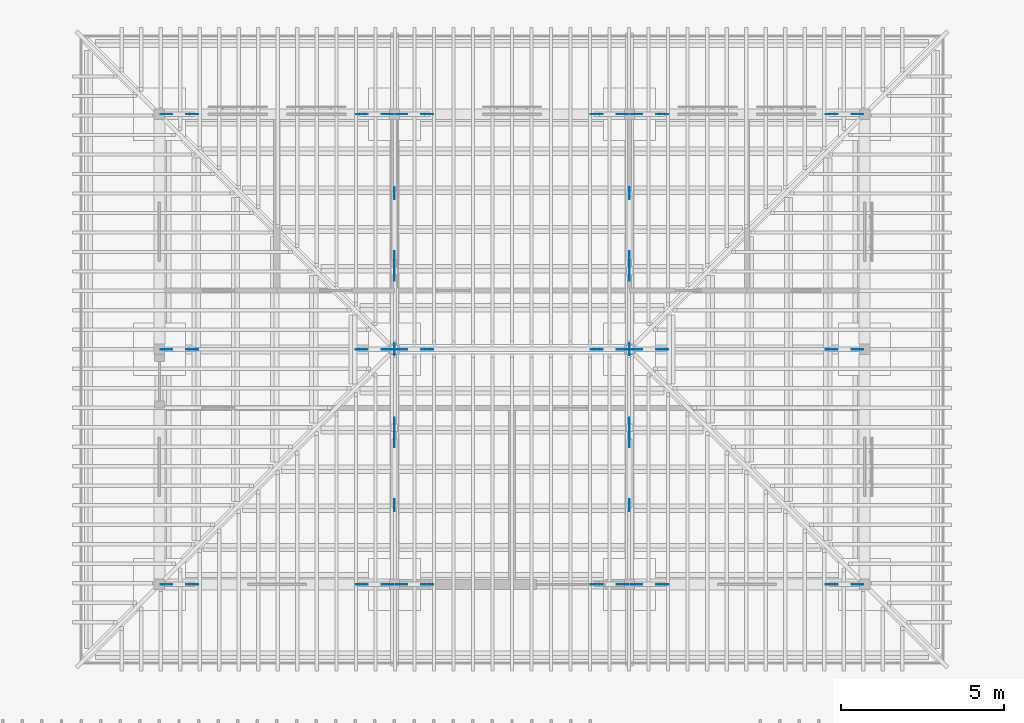
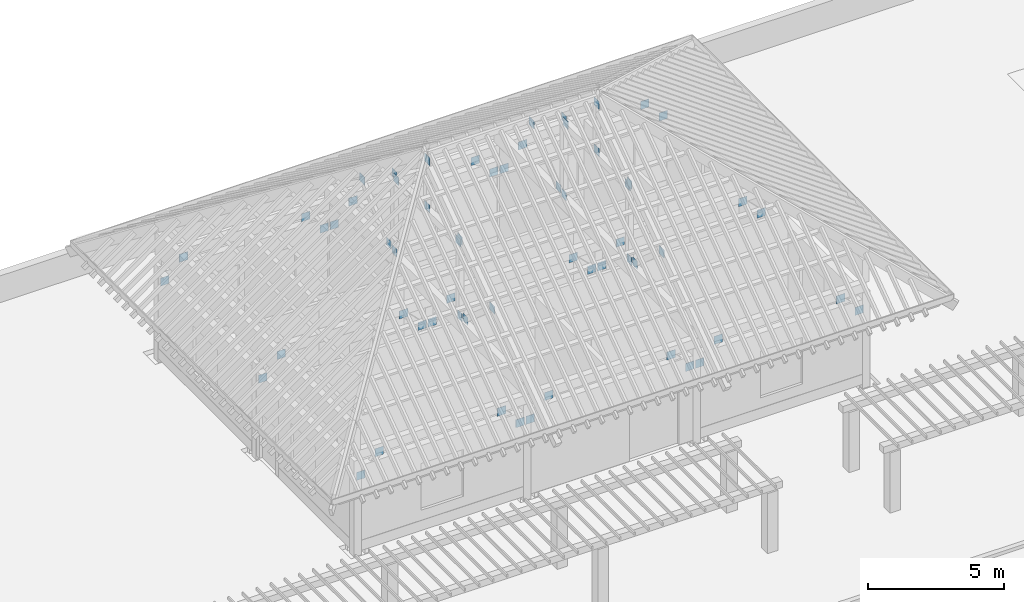
# One storey, part 49 of 84: 60 discrete accessories.
"""IFC4 building model written with IfcOpenShell, lengths in metres."""

from ifc_helpers import new_model, si_unit, direction, frame, origin, origin_2d, place, context, subcontext, project, spatial, rectangle, extrude, material, type_object, element, save


model = new_model("IFC4")

# Units and contexts
model_context = context("Model", 3, precision=1e-05, world=origin(), true_north=direction((0.0, 1.0)))
body_context = subcontext(model_context, "Body", "Model", "MODEL_VIEW")
ifc_project = project(units=[si_unit("LENGTHUNIT", "METRE"), si_unit("AREAUNIT", "SQUARE_METRE"), si_unit("VOLUMEUNIT", "CUBIC_METRE"), si_unit("PLANEANGLEUNIT", "RADIAN"), si_unit("MASSUNIT", "GRAM", prefix="KILO")], contexts=[model_context])

# Site, building, storey
site_placement = place(None, origin())
site = spatial("IfcSite", under=ifc_project, at=site_placement, CompositionType="ELEMENT")
building_placement = place(site_placement, origin())
building = spatial("IfcBuilding", under=site, at=building_placement, Name="Mazhai Court Health Centre", CompositionType="ELEMENT")
storey_placement = place(building_placement, origin())
storey = spatial("IfcBuildingStorey", under=building, at=storey_placement, Name="L00", CompositionType="ELEMENT", Elevation=0.0)

# Discrete accessories
ifc_material = material(Name="Steel IS 2062 E250", Category="steel")
discrete_accessory_type = type_object("IfcDiscreteAccessoryType", Name="TRUSS NODE PLATE 12", PredefinedType="BRACKET", material=ifc_material)
for number, where, z_axis, x_axis, name in (
    (1, (92.81494140625, 49.39990234375, 3.07470703125), (0.0, 0.0, 1.0), (1.0, 0.0, 0.0), "Node plate brace-V3-L00-00p end a"),
    (2, (93.60498046875, 49.39990234375, 3.865234375), (0.0, 0.0, 1.0), (1.0, 0.0, 0.0), "Node plate brace-V3-L00-00p end b"),
    (3, (99.585205078125, 49.39990234375, 3.07470703125), (0.0, 0.0, 1.0), (1.0, 0.0, 0.0), "Node plate brace-V3-L00-10w end a"),
    (4, (98.794921875, 49.39990234375, 3.865234375), (0.0, 0.0, 1.0), (1.0, 0.0, 0.0), "Node plate brace-V3-L00-10w end b"),
    (5, (100.014892578125, 49.39990234375, 3.07470703125), (0.0, 0.0, 1.0), (1.0, 0.0, 0.0), "Node plate brace-V3-L00-10p end a"),
    (6, (100.80517578125, 49.39990234375, 3.865234375), (0.0, 0.0, 1.0), (1.0, 0.0, 0.0), "Node plate brace-V3-L00-10p end b"),
    (7, (106.78515625, 49.39990234375, 3.07470703125), (0.0, 0.0, 1.0), (1.0, 0.0, 0.0), "Node plate brace-V3-L00-20w end a"),
    (8, (105.994873046875, 49.39990234375, 3.865234375), (0.0, 0.0, 1.0), (1.0, 0.0, 0.0), "Node plate brace-V3-L00-20w end b"),
    (9, (107.21484375, 49.39990234375, 3.07470703125), (0.0, 0.0, 1.0), (1.0, 0.0, 0.0), "Node plate brace-V3-L00-20p end a"),
    (10, (108.005126953125, 49.39990234375, 3.865234375), (0.0, 0.0, 1.0), (1.0, 0.0, 0.0), "Node plate brace-V3-L00-20p end b"),
    (11, (113.985107421875, 49.39990234375, 3.07470703125), (0.0, 0.0, 1.0), (1.0, 0.0, 0.0), "Node plate brace-V3-L00-30w end a"),
    (12, (113.19482421875, 49.39990234375, 3.865234375), (0.0, 0.0, 1.0), (1.0, 0.0, 0.0), "Node plate brace-V3-L00-30w end b"),
    (13, (92.81494140625, 56.60009765625, 3.07470703125), (0.0, 0.0, 1.0), (1.0, 0.0, 0.0), "Node plate brace-V3-L00-01p end a"),
    (14, (93.60498046875, 56.60009765625, 3.865234375), (0.0, 0.0, 1.0), (1.0, 0.0, 0.0), "Node plate brace-V3-L00-01p end b"),
    (15, (99.585205078125, 56.60009765625, 3.07470703125), (0.0, 0.0, 1.0), (1.0, 0.0, 0.0), "Node plate brace-V3-L00-11w end a"),
    (16, (98.794921875, 56.60009765625, 3.865234375), (0.0, 0.0, 1.0), (1.0, 0.0, 0.0), "Node plate brace-V3-L00-11w end b"),
    (17, (100.014892578125, 56.60009765625, 3.07470703125), (0.0, 0.0, 1.0), (1.0, 0.0, 0.0), "Node plate brace-V3-L00-11p end a"),
    (18, (100.80517578125, 56.60009765625, 3.865234375), (0.0, 0.0, 1.0), (1.0, 0.0, 0.0), "Node plate brace-V3-L00-11p end b"),
    (19, (106.78515625, 56.60009765625, 3.07470703125), (0.0, 0.0, 1.0), (1.0, 0.0, 0.0), "Node plate brace-V3-L00-21w end a"),
    (20, (105.994873046875, 56.60009765625, 3.865234375), (0.0, 0.0, 1.0), (1.0, 0.0, 0.0), "Node plate brace-V3-L00-21w end b"),
    (21, (107.21484375, 56.60009765625, 3.07470703125), (0.0, 0.0, 1.0), (1.0, 0.0, 0.0), "Node plate brace-V3-L00-21p end a"),
    (22, (108.005126953125, 56.60009765625, 3.865234375), (0.0, 0.0, 1.0), (1.0, 0.0, 0.0), "Node plate brace-V3-L00-21p end b"),
    (23, (113.985107421875, 56.60009765625, 3.07470703125), (0.0, 0.0, 1.0), (1.0, 0.0, 0.0), "Node plate brace-V3-L00-31w end a"),
    (24, (113.19482421875, 56.60009765625, 3.865234375), (0.0, 0.0, 1.0), (1.0, 0.0, 0.0), "Node plate brace-V3-L00-31w end b"),
    (25, (92.81494140625, 63.800048828125, 3.07470703125), (0.0, 0.0, 1.0), (1.0, 0.0, 0.0), "Node plate brace-V3-L00-02p end a"),
    (26, (93.60498046875, 63.800048828125, 3.865234375), (0.0, 0.0, 1.0), (1.0, 0.0, 0.0), "Node plate brace-V3-L00-02p end b"),
    (27, (99.585205078125, 63.800048828125, 3.07470703125), (0.0, 0.0, 1.0), (1.0, 0.0, 0.0), "Node plate brace-V3-L00-12w end a"),
    (28, (98.794921875, 63.800048828125, 3.865234375), (0.0, 0.0, 1.0), (1.0, 0.0, 0.0), "Node plate brace-V3-L00-12w end b"),
    (29, (100.014892578125, 63.800048828125, 3.07470703125), (0.0, 0.0, 1.0), (1.0, 0.0, 0.0), "Node plate brace-V3-L00-12p end a"),
    (30, (100.80517578125, 63.800048828125, 3.865234375), (0.0, 0.0, 1.0), (1.0, 0.0, 0.0), "Node plate brace-V3-L00-12p end b"),
    (31, (106.78515625, 63.800048828125, 3.07470703125), (0.0, 0.0, 1.0), (1.0, 0.0, 0.0), "Node plate brace-V3-L00-22w end a"),
    (32, (105.994873046875, 63.800048828125, 3.865234375), (0.0, 0.0, 1.0), (1.0, 0.0, 0.0), "Node plate brace-V3-L00-22w end b"),
    (33, (107.21484375, 63.800048828125, 3.07470703125), (0.0, 0.0, 1.0), (1.0, 0.0, 0.0), "Node plate brace-V3-L00-22p end a"),
    (34, (108.005126953125, 63.800048828125, 3.865234375), (0.0, 0.0, 1.0), (1.0, 0.0, 0.0), "Node plate brace-V3-L00-22p end b"),
    (35, (113.985107421875, 63.800048828125, 3.07470703125), (0.0, 0.0, 1.0), (1.0, 0.0, 0.0), "Node plate brace-V3-L00-32w end a"),
    (36, (113.19482421875, 63.800048828125, 3.865234375), (0.0, 0.0, 1.0), (1.0, 0.0, 0.0), "Node plate brace-V3-L00-32w end b"),
):
    element("IfcDiscreteAccessory", number, at=place(storey_placement, frame(where, z_axis=z_axis, x_axis=x_axis)), inside=storey, type_object=discrete_accessory_type, Name=name, PredefinedType="BRACKET", context=body_context, shape_type="SweptSolid", body=[
        extrude(rectangle(XDim=0.360107421875, YDim=0.011962890625, at=origin_2d()), origin(), (0.0, 0.0, 1.0), 0.360107421875),
    ])
for number, where, z_axis, x_axis, name in (
    (37, (99.800048828125, 54.199951171875, 4.8798828125), (0.0, 0.0, 1.0), (1.0, 0.0, 0.0), "Node plate Post TV3-1-P1 end a"),
    (38, (99.800048828125, 54.199951171875, 8.32470703125), (0.0, 0.0, 1.0), (1.0, 0.0, 0.0), "Node plate Post TV3-1-P1 end b"),
    (39, (99.800048828125, 59.0, 4.8798828125), (0.0, 0.0, 1.0), (1.0, 0.0, 0.0), "Node plate Post TV3-1-P2 end a"),
    (40, (99.800048828125, 59.0, 8.32470703125), (0.0, 0.0, 1.0), (1.0, 0.0, 0.0), "Node plate Post TV3-1-P2 end b"),
    (41, (99.800048828125, 54.320068359375, 8.16455078125), (0.0, 0.0, 1.0), (1.0, 0.0, 0.0), "Node plate Collar TV3-1-SB1 end a"),
    (42, (99.800048828125, 58.8798828125, 8.16455078125), (0.0, 0.0, 1.0), (1.0, 0.0, 0.0), "Node plate Collar TV3-1-SB1 end b"),
    (43, (99.800048828125, 56.60009765625, 8.32470703125), (0.0, 0.0, 1.0), (1.0, 0.0, 0.0), "Node plate Post TV3-1-P3 end a"),
    (44, (99.800048828125, 56.60009765625, 10.44091796875), (0.0, 0.0, 1.0), (1.0, 0.0, 0.0), "Node plate Post TV3-1-P3 end b"),
    (45, (99.800048828125, 53.7763671875, 4.970703125), (0.0, 0.0, 1.0), (1.0, 0.0, 0.0), "Node plate Strut TV3-1-S1 end a"),
    (46, (99.800048828125, 51.821533203125, 6.669921875), (0.0, 0.0, 1.0), (1.0, 0.0, 0.0), "Node plate Strut TV3-1-S1 end b"),
    (47, (99.800048828125, 59.423583984375, 4.970703125), (0.0, 0.0, 1.0), (1.0, 0.0, 0.0), "Node plate Strut TV3-1-S2 end a"),
    (48, (99.800048828125, 61.37841796875, 6.669921875), (0.0, 0.0, 1.0), (1.0, 0.0, 0.0), "Node plate Strut TV3-1-S2 end b"),
    (49, (107.0, 54.199951171875, 4.8798828125), (0.0, 0.0, 1.0), (1.0, 0.0, 0.0), "Node plate Post TV3-2-P1 end a"),
    (50, (107.0, 54.199951171875, 8.32470703125), (0.0, 0.0, 1.0), (1.0, 0.0, 0.0), "Node plate Post TV3-2-P1 end b"),
    (51, (107.0, 59.0, 4.8798828125), (0.0, 0.0, 1.0), (1.0, 0.0, 0.0), "Node plate Post TV3-2-P2 end a"),
    (52, (107.0, 59.0, 8.32470703125), (0.0, 0.0, 1.0), (1.0, 0.0, 0.0), "Node plate Post TV3-2-P2 end b"),
    (53, (107.0, 54.320068359375, 8.16455078125), (0.0, 0.0, 1.0), (1.0, 0.0, 0.0), "Node plate Collar TV3-2-SB1 end a"),
    (54, (107.0, 58.8798828125, 8.16455078125), (0.0, 0.0, 1.0), (1.0, 0.0, 0.0), "Node plate Collar TV3-2-SB1 end b"),
    (55, (107.0, 56.60009765625, 8.32470703125), (0.0, 0.0, 1.0), (1.0, 0.0, 0.0), "Node plate Post TV3-2-P3 end a"),
    (56, (107.0, 56.60009765625, 10.44091796875), (0.0, 0.0, 1.0), (1.0, 0.0, 0.0), "Node plate Post TV3-2-P3 end b"),
    (57, (107.0, 53.7763671875, 4.970703125), (0.0, 0.0, 1.0), (1.0, 0.0, 0.0), "Node plate Strut TV3-2-S1 end a"),
    (58, (107.0, 51.821533203125, 6.669921875), (0.0, 0.0, 1.0), (1.0, 0.0, 0.0), "Node plate Strut TV3-2-S1 end b"),
    (59, (107.0, 59.423583984375, 4.970703125), (0.0, 0.0, 1.0), (1.0, 0.0, 0.0), "Node plate Strut TV3-2-S2 end a"),
    (60, (107.0, 61.37841796875, 6.669921875), (0.0, 0.0, 1.0), (1.0, 0.0, 0.0), "Node plate Strut TV3-2-S2 end b"),
):
    element("IfcDiscreteAccessory", number, at=place(storey_placement, frame(where, z_axis=z_axis, x_axis=x_axis)), inside=storey, type_object=discrete_accessory_type, Name=name, PredefinedType="BRACKET", context=body_context, shape_type="SweptSolid", body=[
        extrude(rectangle(XDim=0.011962890625, YDim=0.360107421875, at=origin_2d()), origin(), (0.0, 0.0, 1.0), 0.360107421875),
    ])

save(model, "model.ifc")
